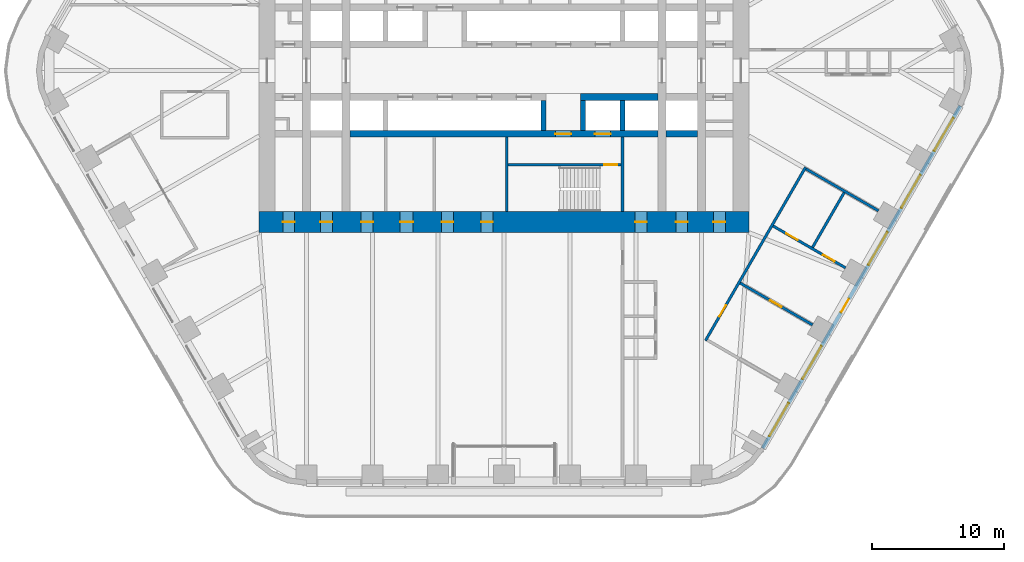
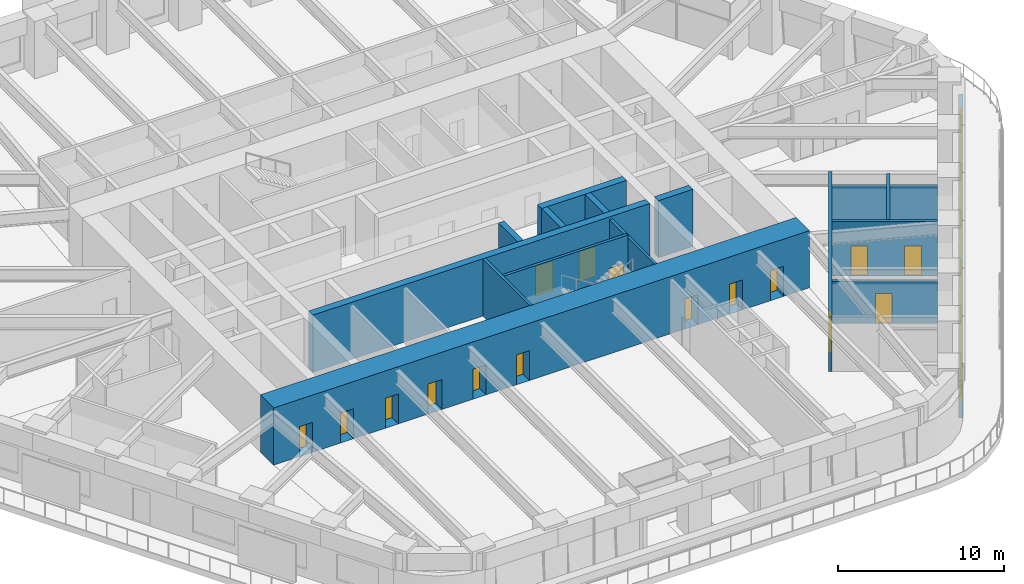
# One storey, part 18 of 24: 17 doors, 16 walls, 5 windows, 22 openings.
"""IFC4 building model written with IfcOpenShell, lengths in metres."""

from ifc_helpers import new_model, si_unit, direction, frame, frame_2d, origin, place, context, subcontext, project, spatial, rectangle, extrude, material, layer, layer_set, type_object, element, fill, save


model = new_model("IFC4")

# Units and contexts
model_context = context("Model", 3, precision=1e-05, world=origin(), true_north=direction((0.0, 1.0)))
body_context = subcontext(model_context, "Body", "Model", "MODEL_VIEW")
ifc_project = project(units=[si_unit("LENGTHUNIT", "METRE"), si_unit("AREAUNIT", "SQUARE_METRE"), si_unit("VOLUMEUNIT", "CUBIC_METRE"), si_unit("PLANEANGLEUNIT", "RADIAN"), si_unit("MASSUNIT", "GRAM", prefix="KILO")], contexts=[model_context])

# Site, building, storey
site_placement = place(None, origin())
site = spatial("IfcSite", under=ifc_project, at=site_placement, CompositionType="ELEMENT")
building_placement = place(site_placement, origin())
building = spatial("IfcBuilding", under=site, at=building_placement, Name="Tarfa Lantern Tower", CompositionType="ELEMENT")
storey_placement = place(building_placement, frame((0.0, 0.0, 161.5)))
storey = spatial("IfcBuildingStorey", under=building, at=storey_placement, Name="L36", CompositionType="ELEMENT", Elevation=161.5)

# Wall, openings, door, windows
ifc_material_1 = material(Name="Limestone cladding on blockwork", Category="masonry")
ifc_layer_1 = layer(ifc_material_1, 0.300048828125)
ifc_layer_set_1 = layer_set([ifc_layer_1], Name="EW1 STONE-CLAD WALL 300")
wall_type_1 = type_object("IfcWallType", Name="EW1 STONE-CLAD WALL 300", PredefinedType="SOLIDWALL", material=ifc_layer_set_1)
wall_1_placement = place(storey_placement, frame((19.644287109375, -28.675048828125, 0.0), z_axis=(0.0, 0.0, 1.0), x_axis=(0.500003084452, 0.866023622968, 0.0)))
wall_1 = element("IfcWall", 1, at=wall_1_placement, inside=storey, type_object=wall_type_1, Name="Stone wall SE", PredefinedType="SOLIDWALL", context=body_context, shape_type="SweptSolid", body=[
    extrude(rectangle(XDim=30.022216796875, YDim=0.300048828125, at=frame_2d((15.01123046875, 0.0))), origin(), (0.0, 0.0, 1.0), 2.75),
])
opening_1_placement = place(wall_1_placement, frame((1.0517578125, 0.0, 0.60009765625)))
opening_1 = element("IfcOpeningElement", 2, at=opening_1_placement, cuts=wall_1, Name="Opening W9", PredefinedType="OPENING", context=body_context, shape_type="SweptSolid", body=[
    extrude(rectangle(XDim=2.89990234375, YDim=1.89990234375, at=frame_2d((1.449951171875, 0.949951171875))), frame((0.0, 0.159912109375, 0.0), z_axis=(0.0, -1.0, 0.0), x_axis=(1.0, 0.0, 0.0)), (0.0, 0.0, 1.0), 0.320068359375),
])
opening_2_placement = place(wall_1_placement, frame((6.0556640625, 0.0, 0.60009765625)))
opening_2 = element("IfcOpeningElement", 3, at=opening_2_placement, cuts=wall_1, Name="Opening W9", PredefinedType="OPENING", context=body_context, shape_type="SweptSolid", body=[
    extrude(rectangle(XDim=2.89990234375, YDim=1.89990234375, at=frame_2d((1.449951171875, 0.949951171875))), frame((0.0, 0.159912109375, 0.0), z_axis=(0.0, -1.0, 0.0), x_axis=(1.0, 0.0, 0.0)), (0.0, 0.0, 1.0), 0.320068359375),
])
opening_3_placement = place(wall_1_placement, frame((11.9091796875, 0.0, 0.0)))
opening_3 = element("IfcOpeningElement", 4, at=opening_3_placement, cuts=wall_1, Name="Opening D51", PredefinedType="OPENING", context=body_context, shape_type="SweptSolid", body=[
    extrude(rectangle(XDim=1.199951171875, YDim=2.39990234375, at=frame_2d((0.60009765625, 1.199951171875))), frame((0.0, 0.159912109375, 0.0), z_axis=(0.0, -1.0, 0.0), x_axis=(1.0, 0.0, 0.0)), (0.0, 0.0, 1.0), 0.320068359375),
])
opening_4_placement = place(wall_1_placement, frame((16.06298828125, 0.0, 0.60009765625)))
opening_4 = element("IfcOpeningElement", 5, at=opening_4_placement, cuts=wall_1, Name="Opening W9", PredefinedType="OPENING", context=body_context, shape_type="SweptSolid", body=[
    extrude(rectangle(XDim=2.89990234375, YDim=1.89990234375, at=frame_2d((1.449951171875, 0.949951171875))), frame((0.0, 0.159912109375, 0.0), z_axis=(0.0, -1.0, 0.0), x_axis=(1.0, 0.0, 0.0)), (0.0, 0.0, 1.0), 0.320068359375),
])
opening_5_placement = place(wall_1_placement, frame((21.066650390625, 0.0, 0.60009765625)))
opening_5 = element("IfcOpeningElement", 6, at=opening_5_placement, cuts=wall_1, Name="Opening W9", PredefinedType="OPENING", context=body_context, shape_type="SweptSolid", body=[
    extrude(rectangle(XDim=2.89990234375, YDim=1.89990234375, at=frame_2d((1.449951171875, 0.949951171875))), frame((0.0, 0.159912109375, 0.0), z_axis=(0.0, -1.0, 0.0), x_axis=(1.0, 0.0, 0.0)), (0.0, 0.0, 1.0), 0.320068359375),
])
opening_6_placement = place(wall_1_placement, frame((26.0703125, 0.0, 0.60009765625)))
opening_6 = element("IfcOpeningElement", 7, at=opening_6_placement, cuts=wall_1, Name="Opening W9", PredefinedType="OPENING", context=body_context, shape_type="SweptSolid", body=[
    extrude(rectangle(XDim=2.89990234375, YDim=1.89990234375, at=frame_2d((1.449951171875, 0.949951171875))), frame((0.0, 0.159912109375, 0.0), z_axis=(0.0, -1.0, 0.0), x_axis=(1.0, 0.0, 0.0)), (0.0, 0.0, 1.0), 0.320068359375),
])
ifc_material_2 = material(Name="Aluminium framed glazed door", Category="aluminium")
door_type_1 = type_object("IfcDoorType", Name="BE3 BALCONY DOOR 1200x2400", OperationType="SINGLE_SWING_RIGHT", PredefinedType="DOOR", material=ifc_material_2)
door_1_placement = place(opening_3_placement, origin())
door_1 = element("IfcDoor", 8, at=door_1_placement, inside=storey, type_object=door_type_1, Name="Balcony door SE", OperationType="SINGLE_SWING_RIGHT", OverallHeight=2.39990234375, OverallWidth=1.199951171875, PredefinedType="DOOR", context=body_context, shape_type="SweptSolid", body=[
    extrude(rectangle(XDim=1.199951171875, YDim=2.39990234375, at=frame_2d((0.60009765625, 1.199951171875))), frame((0.0, 0.02490234375, 0.0), z_axis=(0.0, -1.0, 0.0), x_axis=(1.0, 0.0, 0.0)), (0.0, 0.0, 1.0), 0.050048828125),
])
fill(opening_3, door_1)
ifc_material_3 = material(Name="Aluminium frame, double glazed", Category="aluminium")
window_type = type_object("IfcWindowType", Name="W9 FULL-HEIGHT GLAZING 2900x1900", PartitioningType="SINGLE_PANEL", PredefinedType="WINDOW", material=ifc_material_3)
window_1_placement = place(opening_1_placement, origin())
window_1 = element("IfcWindow", 9, at=window_1_placement, inside=storey, type_object=window_type, Name="Window SE 1", OverallHeight=1.89990234375, OverallWidth=2.89990234375, PartitioningType="SINGLE_PANEL", PredefinedType="WINDOW", context=body_context, shape_type="SweptSolid", body=[
    extrude(rectangle(XDim=2.89990234375, YDim=1.89990234375, at=frame_2d((1.449951171875, 0.949951171875))), frame((0.0, 0.030029296875, 0.0), z_axis=(0.0, -1.0, 0.0), x_axis=(1.0, 0.0, 0.0)), (0.0, 0.0, 1.0), 0.06005859375),
])
fill(opening_1, window_1)
window_2_placement = place(opening_2_placement, origin())
window_2 = element("IfcWindow", 10, at=window_2_placement, inside=storey, type_object=window_type, Name="Window SE 2", OverallHeight=1.89990234375, OverallWidth=2.89990234375, PartitioningType="SINGLE_PANEL", PredefinedType="WINDOW", context=body_context, shape_type="SweptSolid", body=[
    extrude(rectangle(XDim=2.89990234375, YDim=1.89990234375, at=frame_2d((1.449951171875, 0.949951171875))), frame((0.0, 0.030029296875, 0.0), z_axis=(0.0, -1.0, 0.0), x_axis=(1.0, 0.0, 0.0)), (0.0, 0.0, 1.0), 0.06005859375),
])
fill(opening_2, window_2)
window_3_placement = place(opening_4_placement, origin())
window_3 = element("IfcWindow", 11, at=window_3_placement, inside=storey, type_object=window_type, Name="Window SE 4", OverallHeight=1.89990234375, OverallWidth=2.89990234375, PartitioningType="SINGLE_PANEL", PredefinedType="WINDOW", context=body_context, shape_type="SweptSolid", body=[
    extrude(rectangle(XDim=2.89990234375, YDim=1.89990234375, at=frame_2d((1.449951171875, 0.949951171875))), frame((0.0, 0.030029296875, 0.0), z_axis=(0.0, -1.0, 0.0), x_axis=(1.0, 0.0, 0.0)), (0.0, 0.0, 1.0), 0.06005859375),
])
fill(opening_4, window_3)
window_4_placement = place(opening_5_placement, origin())
window_4 = element("IfcWindow", 12, at=window_4_placement, inside=storey, type_object=window_type, Name="Window SE 5", OverallHeight=1.89990234375, OverallWidth=2.89990234375, PartitioningType="SINGLE_PANEL", PredefinedType="WINDOW", context=body_context, shape_type="SweptSolid", body=[
    extrude(rectangle(XDim=2.89990234375, YDim=1.89990234375, at=frame_2d((1.449951171875, 0.949951171875))), frame((0.0, 0.030029296875, 0.0), z_axis=(0.0, -1.0, 0.0), x_axis=(1.0, 0.0, 0.0)), (0.0, 0.0, 1.0), 0.06005859375),
])
fill(opening_5, window_4)
window_5_placement = place(opening_6_placement, origin())
window_5 = element("IfcWindow", 13, at=window_5_placement, inside=storey, type_object=window_type, Name="Window SE 6", OverallHeight=1.89990234375, OverallWidth=2.89990234375, PartitioningType="SINGLE_PANEL", PredefinedType="WINDOW", context=body_context, shape_type="SweptSolid", body=[
    extrude(rectangle(XDim=2.89990234375, YDim=1.89990234375, at=frame_2d((1.449951171875, 0.949951171875))), frame((0.0, 0.030029296875, 0.0), z_axis=(0.0, -1.0, 0.0), x_axis=(1.0, 0.0, 0.0)), (0.0, 0.0, 1.0), 0.06005859375),
])
fill(opening_6, window_5)

# Wall
ifc_material_4 = material(Name="Concrete blockwork", Category="masonry")
ifc_layer_2 = layer(ifc_material_4, 0.199951171875)
ifc_layer_set_2 = layer_set([ifc_layer_2], Name="IW1 BLOCKWORK PARTITION 200 EI 120")
wall_type_2 = type_object("IfcWallType", Name="IW1 BLOCKWORK PARTITION 200 EI 120", PredefinedType="PARTITIONING", material=ifc_layer_set_2)
wall_2_placement = place(storey_placement, frame((9.0, -5.050048828125, 0.0), z_axis=(0.0, 0.0, 1.0), x_axis=(0.0, -1.0, 0.0)))
element("IfcWall", 14, at=wall_2_placement, inside=storey, type_object=wall_type_2, Name="Core partition", PredefinedType="PARTITIONING", context=body_context, shape_type="SweptSolid", body=[
    extrude(rectangle(XDim=5.64990234375, YDim=0.199951171875, at=frame_2d((2.824951171875, 0.0))), origin(), (0.0, 0.0, 1.0), 4.0),
])

# Wall, opening, door
ifc_material_5 = material(Name="Gypsum board on steel studs", Category="steel")
ifc_layer_3 = layer(ifc_material_5, 0.2099609375)
ifc_layer_set_3 = layer_set([ifc_layer_3], Name="IW2 ACOUSTIC PARTITION 200")
wall_type_3 = type_object("IfcWallType", Name="IW2 ACOUSTIC PARTITION 200", PredefinedType="PARTITIONING", material=ifc_layer_set_3)
wall_3_placement = place(storey_placement, frame((15.2978515625, -20.503173828125, 0.0), z_axis=(0.0, 0.0, 1.0), x_axis=(0.500010972563, 0.86601906868, 0.0)))
wall_3 = element("IfcWall", 15, at=wall_3_placement, inside=storey, type_object=wall_type_3, Name="Partition", PredefinedType="PARTITIONING", context=body_context, shape_type="SweptSolid", body=[
    extrude(rectangle(XDim=15.211181640625, YDim=0.199951171875, at=frame_2d((7.60546875, 0.0))), origin(), (0.0, 0.0, 1.0), 4.0),
])
opening_7_placement = place(wall_3_placement, frame((2.101806640625, 0.0, 0.0)))
opening_7 = element("IfcOpeningElement", 16, at=opening_7_placement, cuts=wall_3, Name="Opening D33", PredefinedType="OPENING", context=body_context, shape_type="SweptSolid", body=[
    extrude(rectangle(XDim=1.0, YDim=2.199951171875, at=frame_2d((0.5, 1.10009765625))), frame((0.0, 0.10986328125, 0.0), z_axis=(0.0, -1.0, 0.0), x_axis=(1.0, 0.0, 0.0)), (0.0, 0.0, 1.0), 0.219970703125),
])
ifc_material_6 = material(Name="Timber door", Category="wood")
door_type_2 = type_object("IfcDoorType", Name="DR1 ROOM DOOR 1000x2200", OperationType="SINGLE_SWING_LEFT", PredefinedType="DOOR", material=ifc_material_6)
door_2_placement = place(opening_7_placement, frame((1.0, 0.0, 0.0), z_axis=(0.0, 0.0, 1.0), x_axis=(-1.0, 0.0, 0.0)))
door_2 = element("IfcDoor", 17, at=door_2_placement, inside=storey, type_object=door_type_2, Name="Audit reception door", OperationType="SINGLE_SWING_LEFT", OverallHeight=2.199951171875, OverallWidth=1.0, PredefinedType="DOOR", context=body_context, shape_type="SweptSolid", body=[
    extrude(rectangle(XDim=1.0, YDim=2.199951171875, at=frame_2d((0.5, 1.10009765625))), frame((0.0, 0.02490234375, 0.0), z_axis=(0.0, -1.0, 0.0), x_axis=(1.0, 0.0, 0.0)), (0.0, 0.0, 1.0), 0.050048828125),
])
fill(opening_7, door_2)

wall_4_placement = place(storey_placement, frame((17.936279296875, -16.13330078125, 0.0), z_axis=(0.0, 0.0, 1.0), x_axis=(0.866022320763, -0.500005339912, 0.0)))
wall_4 = element("IfcWall", 18, at=wall_4_placement, inside=storey, type_object=wall_type_3, Name="Partition", PredefinedType="PARTITIONING", context=body_context, shape_type="SweptSolid", body=[
    extrude(rectangle(XDim=6.35009765625, YDim=0.199951171875, at=frame_2d((3.175048828125, 0.0))), origin(), (0.0, 0.0, 1.0), 3.08154296875),
])
opening_8_placement = place(wall_4_placement, frame((2.625, 0.0, 0.0)))
opening_8 = element("IfcOpeningElement", 19, at=opening_8_placement, cuts=wall_4, Name="Opening D34", PredefinedType="OPENING", context=body_context, shape_type="SweptSolid", body=[
    extrude(rectangle(XDim=1.0, YDim=2.199951171875, at=frame_2d((0.5, 1.10009765625))), frame((0.0, 0.10986328125, 0.0), z_axis=(0.0, -1.0, 0.0), x_axis=(1.0, 0.0, 0.0)), (0.0, 0.0, 1.0), 0.219970703125),
])
door_3_placement = place(opening_8_placement, origin())
door_3 = element("IfcDoor", 20, at=door_3_placement, inside=storey, type_object=door_type_2, Name="Audit team room door", OperationType="SINGLE_SWING_RIGHT", OverallHeight=2.199951171875, OverallWidth=1.0, PredefinedType="DOOR", context=body_context, shape_type="SweptSolid", body=[
    extrude(rectangle(XDim=1.0, YDim=2.199951171875, at=frame_2d((0.5, 1.10009765625))), frame((0.0, 0.02490234375, 0.0), z_axis=(0.0, -1.0, 0.0), x_axis=(1.0, 0.0, 0.0)), (0.0, 0.0, 1.0), 0.050048828125),
])
fill(opening_8, door_3)

# Wall, openings, doors
wall_5_placement = place(storey_placement, frame((20.438232421875, -11.800048828125, 0.0), z_axis=(0.0, 0.0, 1.0), x_axis=(0.866022320763, -0.500005339912, 0.0)))
wall_5 = element("IfcWall", 21, at=wall_5_placement, inside=storey, type_object=wall_type_3, Name="Partition", PredefinedType="PARTITIONING", context=body_context, shape_type="SweptSolid", body=[
    extrude(rectangle(XDim=6.35009765625, YDim=0.199951171875, at=frame_2d((3.175048828125, 0.0))), origin(), (0.0, 0.0, 1.0), 4.0),
])
opening_9_placement = place(wall_5_placement, frame((1.14990234375, 0.0, 0.0)))
opening_9 = element("IfcOpeningElement", 22, at=opening_9_placement, cuts=wall_5, Name="Opening D35", PredefinedType="OPENING", context=body_context, shape_type="SweptSolid", body=[
    extrude(rectangle(XDim=1.0, YDim=2.199951171875, at=frame_2d((0.5, 1.10009765625))), frame((0.0, 0.10986328125, 0.0), z_axis=(0.0, -1.0, 0.0), x_axis=(1.0, 0.0, 0.0)), (0.0, 0.0, 1.0), 0.219970703125),
])
opening_10_placement = place(wall_5_placement, frame((4.375, 0.0, 0.0)))
opening_10 = element("IfcOpeningElement", 23, at=opening_10_placement, cuts=wall_5, Name="Opening D36", PredefinedType="OPENING", context=body_context, shape_type="SweptSolid", body=[
    extrude(rectangle(XDim=1.0, YDim=2.199951171875, at=frame_2d((0.5, 1.10009765625))), frame((0.0, 0.10986328125, 0.0), z_axis=(0.0, -1.0, 0.0), x_axis=(1.0, 0.0, 0.0)), (0.0, 0.0, 1.0), 0.219970703125),
])
door_4_placement = place(opening_9_placement, origin())
door_4 = element("IfcDoor", 24, at=door_4_placement, inside=storey, type_object=door_type_2, Name="Audit meeting room door", OperationType="SINGLE_SWING_RIGHT", OverallHeight=2.199951171875, OverallWidth=1.0, PredefinedType="DOOR", context=body_context, shape_type="SweptSolid", body=[
    extrude(rectangle(XDim=1.0, YDim=2.199951171875, at=frame_2d((0.5, 1.10009765625))), frame((0.0, 0.02490234375, 0.0), z_axis=(0.0, -1.0, 0.0), x_axis=(1.0, 0.0, 0.0)), (0.0, 0.0, 1.0), 0.050048828125),
])
fill(opening_9, door_4)
door_5_placement = place(opening_10_placement, origin())
door_5 = element("IfcDoor", 25, at=door_5_placement, inside=storey, type_object=door_type_2, Name="Audit office door", OperationType="SINGLE_SWING_RIGHT", OverallHeight=2.199951171875, OverallWidth=1.0, PredefinedType="DOOR", context=body_context, shape_type="SweptSolid", body=[
    extrude(rectangle(XDim=1.0, YDim=2.199951171875, at=frame_2d((0.5, 1.10009765625))), frame((0.0, 0.02490234375, 0.0), z_axis=(0.0, -1.0, 0.0), x_axis=(1.0, 0.0, 0.0)), (0.0, 0.0, 1.0), 0.050048828125),
])
fill(opening_10, door_5)

# Walls
wall_6_placement = place(storey_placement, frame((22.93994140625, -7.466552734375, 0.0), z_axis=(0.0, 0.0, 1.0), x_axis=(0.866022320763, -0.500005339912, 0.0)))
element("IfcWall", 26, at=wall_6_placement, inside=storey, type_object=wall_type_3, Name="Partition", PredefinedType="PARTITIONING", context=body_context, shape_type="SweptSolid", body=[
    extrude(rectangle(XDim=6.35009765625, YDim=0.199951171875, at=frame_2d((3.175048828125, 0.0))), origin(), (0.0, 0.0, 1.0), 3.08154296875),
])
wall_7_placement = place(storey_placement, frame((23.4326171875, -13.413330078125, 0.0), z_axis=(0.0, 0.0, 1.0), x_axis=(0.499998147991, 0.86602647304, 0.0)))
element("IfcWall", 27, at=wall_7_placement, inside=storey, type_object=wall_type_3, Name="Partition", PredefinedType="PARTITIONING", context=body_context, shape_type="SweptSolid", body=[
    extrude(rectangle(XDim=4.8037109375, YDim=0.199951171875, at=frame_2d((2.40185546875, 0.0))), origin(), (0.0, 0.0, 1.0), 4.0),
])
ifc_material_7 = material(Name="Concrete C80/95", Category="concrete")
ifc_layer_4 = layer(ifc_material_7, 0.199951171875)
ifc_layer_set_4 = layer_set([ifc_layer_4], Name="SW12 CORE WALL 200")
wall_type_4 = type_object("IfcWallType", Name="SW12 CORE WALL 200", PredefinedType="SHEAR", material=ifc_layer_set_4)
wall_8_placement = place(storey_placement, frame((0.199951171875, -5.050048828125, 0.0), z_axis=(0.0, 0.0, 1.0), x_axis=(0.0, -1.0, 0.0)))
element("IfcWall", 28, at=wall_8_placement, inside=storey, type_object=wall_type_4, Name="Core wall stair shaft S", PredefinedType="SHEAR", context=body_context, shape_type="SweptSolid", body=[
    extrude(rectangle(XDim=5.64990234375, YDim=0.199951171875, at=frame_2d((2.824951171875, 0.0))), origin(), (0.0, 0.0, 1.0), 4.199951171875),
])

# Wall, opening, door
wall_9_placement = place(storey_placement, frame((8.89990234375, -7.14990234375, 0.0), z_axis=(0.0, 0.0, 1.0), x_axis=(-1.0, 0.0, 0.0)))
wall_9 = element("IfcWall", 29, at=wall_9_placement, inside=storey, type_object=wall_type_4, Name="Core wall stair partition S", PredefinedType="SHEAR", context=body_context, shape_type="SweptSolid", body=[
    extrude(rectangle(XDim=8.599853515625, YDim=0.199951171875, at=frame_2d((4.2998046875, 0.0))), origin(), (0.0, 0.0, 1.0), 4.199951171875),
])
opening_11_placement = place(wall_9_placement, frame((0.300048828125, 0.0, 0.0)))
opening_11 = element("IfcOpeningElement", 30, at=opening_11_placement, cuts=wall_9, Name="Opening D28", PredefinedType="OPENING", context=body_context, shape_type="SweptSolid", body=[
    extrude(rectangle(XDim=1.0, YDim=2.199951171875, at=frame_2d((0.5, 1.10009765625))), frame((0.0, 0.10986328125, 0.0), z_axis=(0.0, -1.0, 0.0), x_axis=(1.0, 0.0, 0.0)), (0.0, 0.0, 1.0), 0.219970703125),
])
ifc_material_8 = material(Name="Steel fire door", Category="steel")
door_type_3 = type_object("IfcDoorType", Name="DF2 STAIR DOOR 1000x2200", OperationType="SINGLE_SWING_LEFT", PredefinedType="DOOR", material=ifc_material_8)
door_6_placement = place(opening_11_placement, origin())
door_6 = element("IfcDoor", 31, at=door_6_placement, inside=storey, type_object=door_type_3, Name="Stair door", OperationType="SINGLE_SWING_RIGHT", OverallHeight=2.199951171875, OverallWidth=1.0, PredefinedType="DOOR", context=body_context, shape_type="SweptSolid", body=[
    extrude(rectangle(XDim=1.0, YDim=2.199951171875, at=frame_2d((0.5, 1.10009765625))), frame((0.0, 0.02490234375, 0.0), z_axis=(0.0, -1.0, 0.0), x_axis=(1.0, 0.0, 0.0)), (0.0, 0.0, 1.0), 0.050048828125),
])
fill(opening_11, door_6)

# Walls
ifc_layer_5 = layer(ifc_material_7, 0.5)
ifc_layer_set_5 = layer_set([ifc_layer_5], Name="SW5 CORE WALL 500")
wall_type_5 = type_object("IfcWallType", Name="SW5 CORE WALL 500", PredefinedType="SHEAR", material=ifc_layer_set_5)
wall_10_placement = place(storey_placement, frame((11.699951171875, -2.0, 0.0), z_axis=(0.0, 0.0, 1.0), x_axis=(-1.0, 0.0, 0.0)))
element("IfcWall", 32, at=wall_10_placement, inside=storey, type_object=wall_type_5, Name="Core wall lobby west S", PredefinedType="SHEAR", context=body_context, shape_type="SweptSolid", body=[
    extrude(rectangle(XDim=5.89990234375, YDim=0.5, at=frame_2d((2.949951171875, 0.0))), origin(), (0.0, 0.0, 1.0), 4.199951171875),
])
wall_11_placement = place(storey_placement, frame((14.699951171875, -4.800048828125, 0.0), z_axis=(0.0, 0.0, 1.0), x_axis=(-1.0, 0.0, 0.0)))
element("IfcWall", 33, at=wall_11_placement, inside=storey, type_object=wall_type_5, Name="Core wall rear S", PredefinedType="SHEAR", context=body_context, shape_type="SweptSolid", body=[
    extrude(rectangle(XDim=2.39990234375, YDim=0.5, at=frame_2d((1.199951171875, 0.0))), origin(), (0.0, 0.0, 1.0), 4.199951171875),
])

# Wall, openings, doors
wall_12_placement = place(storey_placement, frame((11.699951171875, -4.800048828125, 0.0), z_axis=(0.0, 0.0, 1.0), x_axis=(-1.0, 0.0, 0.0)))
wall_12 = element("IfcWall", 34, at=wall_12_placement, inside=storey, type_object=wall_type_5, Name="Core wall rear S", PredefinedType="SHEAR", context=body_context, shape_type="SweptSolid", body=[
    extrude(rectangle(XDim=23.39990234375, YDim=0.5, at=frame_2d((11.699951171875, 0.0))), origin(), (0.0, 0.0, 1.0), 4.199951171875),
])
opening_12_placement = place(wall_12_placement, frame((6.60009765625, 0.0, 0.0)))
opening_12 = element("IfcOpeningElement", 35, at=opening_12_placement, cuts=wall_12, Name="Opening D14", PredefinedType="OPENING", context=body_context, shape_type="SweptSolid", body=[
    extrude(rectangle(XDim=1.199951171875, YDim=2.199951171875, at=frame_2d((0.60009765625, 1.10009765625))), frame((0.0, 0.260009765625, 0.0), z_axis=(0.0, -1.0, 0.0), x_axis=(1.0, 0.0, 0.0)), (0.0, 0.0, 1.0), 0.52001953125),
])
opening_13_placement = place(wall_12_placement, frame((3.60009765625, 0.0, 0.0)))
opening_13 = element("IfcOpeningElement", 36, at=opening_13_placement, cuts=wall_12, Name="Opening LD02", PredefinedType="OPENING", context=body_context, shape_type="SweptSolid", body=[
    extrude(rectangle(XDim=1.199951171875, YDim=2.199951171875, at=frame_2d((0.60009765625, 1.10009765625))), frame((0.0, 0.260009765625, 0.0), z_axis=(0.0, -1.0, 0.0), x_axis=(1.0, 0.0, 0.0)), (0.0, 0.0, 1.0), 0.52001953125),
])
door_type_4 = type_object("IfcDoorType", Name="DF1 FIREFIGHTING LOBBY DOOR 1200x2200", OperationType="SINGLE_SWING_LEFT", PredefinedType="DOOR", material=ifc_material_8)
door_7_placement = place(opening_12_placement, origin())
door_7 = element("IfcDoor", 37, at=door_7_placement, inside=storey, type_object=door_type_4, Name="Firefighting lobby door", OperationType="SINGLE_SWING_LEFT", OverallHeight=2.199951171875, OverallWidth=1.199951171875, PredefinedType="DOOR", context=body_context, shape_type="SweptSolid", body=[
    extrude(rectangle(XDim=1.199951171875, YDim=2.199951171875, at=frame_2d((0.60009765625, 1.10009765625))), frame((0.0, 0.02490234375, 0.0), z_axis=(0.0, -1.0, 0.0), x_axis=(1.0, 0.0, 0.0)), (0.0, 0.0, 1.0), 0.050048828125),
])
fill(opening_12, door_7)
ifc_material_9 = material(Name="Stainless steel lift door", Category="steel")
door_type_5 = type_object("IfcDoorType", Name="LD1 LIFT LANDING DOOR 1200x2200", OperationType="SLIDING_TO_LEFT", PredefinedType="DOOR", material=ifc_material_9)
door_8_placement = place(opening_13_placement, origin())
door_8 = element("IfcDoor", 38, at=door_8_placement, inside=storey, type_object=door_type_5, Name="Landing door FL2", OperationType="SLIDING_TO_LEFT", OverallHeight=2.199951171875, OverallWidth=1.199951171875, PredefinedType="DOOR", context=body_context, shape_type="SweptSolid", body=[
    extrude(rectangle(XDim=1.199951171875, YDim=2.199951171875, at=frame_2d((0.60009765625, 1.10009765625))), frame((0.0, 0.02490234375, 0.0), z_axis=(0.0, -1.0, 0.0), x_axis=(1.0, 0.0, 0.0)), (0.0, 0.0, 1.0), 0.050048828125),
])
fill(opening_13, door_8)

# Walls
ifc_layer_6 = layer(ifc_material_7, 0.39990234375)
ifc_layer_set_6 = layer_set([ifc_layer_6], Name="SW6 CORE WALL 400")
wall_type_6 = type_object("IfcWallType", Name="SW6 CORE WALL 400", PredefinedType="SHEAR", material=ifc_layer_set_6)
for number, where, z_axis, x_axis, name in (
    (39, (9.0, -2.25, 0.0), (0.0, 0.0, 1.0), (0.0, -1.0, 0.0), "Core wall divider S"),
    (40, (6.0, -2.25, 0.0), (0.0, 0.0, 1.0), (0.0, -1.0, 0.0), "Core wall divider S"),
    (41, (3.0, -2.25, 0.0), (0.0, 0.0, 1.0), (0.0, -1.0, 0.0), "Core wall divider S"),
):
    element("IfcWall", number, at=place(storey_placement, frame(where, z_axis=z_axis, x_axis=x_axis)), inside=storey, type_object=wall_type_6, Name=name, PredefinedType="SHEAR", context=body_context, shape_type="SweptSolid", body=[
        extrude(rectangle(XDim=2.300048828125, YDim=0.39990234375, at=frame_2d((1.14990234375, 0.0))), origin(), (0.0, 0.0, 1.0), 4.199951171875),
    ])

# Wall, openings, doors
ifc_layer_7 = layer(ifc_material_7, 1.60009765625)
ifc_layer_set_7 = layer_set([ifc_layer_7], Name="SW7 CORE WALL 1600")
wall_type_7 = type_object("IfcWallType", Name="SW7 CORE WALL 1600", PredefinedType="SHEAR", material=ifc_layer_set_7)
wall_13_placement = place(storey_placement, frame((18.60009765625, -11.5, 0.0), z_axis=(0.0, 0.0, 1.0), x_axis=(-1.0, 0.0, 0.0)))
wall_13 = element("IfcWall", 42, at=wall_13_placement, inside=storey, type_object=wall_type_7, Name="Core wall S", PredefinedType="SHEAR", context=body_context, shape_type="SweptSolid", body=[
    extrude(rectangle(XDim=37.2001953125, YDim=1.60009765625, at=frame_2d((18.60009765625, 0.0))), origin(), (0.0, 0.0, 1.0), 4.199951171875),
])
opening_14_placement = place(wall_13_placement, frame((19.449951171875, 0.0, 0.0)))
opening_14 = element("IfcOpeningElement", 43, at=opening_14_placement, cuts=wall_13, Name="Opening D22", PredefinedType="OPENING", context=body_context, shape_type="SweptSolid", body=[
    extrude(rectangle(XDim=0.89990234375, YDim=2.199951171875, at=frame_2d((0.449951171875, 1.10009765625))), frame((0.0, 0.81005859375, 0.0), z_axis=(0.0, -1.0, 0.0), x_axis=(1.0, 0.0, 0.0)), (0.0, 0.0, 1.0), 1.6201171875),
])
opening_15_placement = place(wall_13_placement, frame((22.449951171875, 0.0, 0.0)))
opening_15 = element("IfcOpeningElement", 44, at=opening_15_placement, cuts=wall_13, Name="Opening D24", PredefinedType="OPENING", context=body_context, shape_type="SweptSolid", body=[
    extrude(rectangle(XDim=0.89990234375, YDim=2.199951171875, at=frame_2d((0.449951171875, 1.10009765625))), frame((0.0, 0.81005859375, 0.0), z_axis=(0.0, -1.0, 0.0), x_axis=(1.0, 0.0, 0.0)), (0.0, 0.0, 1.0), 1.6201171875),
])
opening_16_placement = place(wall_13_placement, frame((25.5, 0.0, 0.0)))
opening_16 = element("IfcOpeningElement", 45, at=opening_16_placement, cuts=wall_13, Name="Opening D26", PredefinedType="OPENING", context=body_context, shape_type="SweptSolid", body=[
    extrude(rectangle(XDim=1.0, YDim=2.199951171875, at=frame_2d((0.5, 1.10009765625))), frame((0.0, 0.81005859375, 0.0), z_axis=(0.0, -1.0, 0.0), x_axis=(1.0, 0.0, 0.0)), (0.0, 0.0, 1.0), 1.6201171875),
])
opening_17_placement = place(wall_13_placement, frame((1.800048828125, 0.0, 0.0)))
opening_17 = element("IfcOpeningElement", 46, at=opening_17_placement, cuts=wall_13, Name="Opening D12", PredefinedType="OPENING", context=body_context, shape_type="SweptSolid", body=[
    extrude(rectangle(XDim=0.89990234375, YDim=2.199951171875, at=frame_2d((0.449951171875, 1.10009765625))), frame((0.0, 0.81005859375, 0.0), z_axis=(0.0, -1.0, 0.0), x_axis=(1.0, 0.0, 0.0)), (0.0, 0.0, 1.0), 1.6201171875),
])
opening_18_placement = place(wall_13_placement, frame((4.64990234375, 0.0, 0.0)))
opening_18 = element("IfcOpeningElement", 47, at=opening_18_placement, cuts=wall_13, Name="Opening D08", PredefinedType="OPENING", context=body_context, shape_type="SweptSolid", body=[
    extrude(rectangle(XDim=0.89990234375, YDim=2.199951171875, at=frame_2d((0.449951171875, 1.10009765625))), frame((0.0, 0.81005859375, 0.0), z_axis=(0.0, -1.0, 0.0), x_axis=(1.0, 0.0, 0.0)), (0.0, 0.0, 1.0), 1.6201171875),
])
opening_19_placement = place(wall_13_placement, frame((7.75, 0.0, 0.0)))
opening_19 = element("IfcOpeningElement", 48, at=opening_19_placement, cuts=wall_13, Name="Opening D10", PredefinedType="OPENING", context=body_context, shape_type="SweptSolid", body=[
    extrude(rectangle(XDim=0.89990234375, YDim=2.199951171875, at=frame_2d((0.449951171875, 1.10009765625))), frame((0.0, 0.81005859375, 0.0), z_axis=(0.0, -1.0, 0.0), x_axis=(1.0, 0.0, 0.0)), (0.0, 0.0, 1.0), 1.6201171875),
])
opening_20_placement = place(wall_13_placement, frame((28.550048828125, 0.0, 0.0)))
opening_20 = element("IfcOpeningElement", 49, at=opening_20_placement, cuts=wall_13, Name="Opening D06", PredefinedType="OPENING", context=body_context, shape_type="SweptSolid", body=[
    extrude(rectangle(XDim=0.89990234375, YDim=2.199951171875, at=frame_2d((0.449951171875, 1.10009765625))), frame((0.0, 0.81005859375, 0.0), z_axis=(0.0, -1.0, 0.0), x_axis=(1.0, 0.0, 0.0)), (0.0, 0.0, 1.0), 1.6201171875),
])
opening_21_placement = place(wall_13_placement, frame((31.64990234375, 0.0, 0.0)))
opening_21 = element("IfcOpeningElement", 50, at=opening_21_placement, cuts=wall_13, Name="Opening D02", PredefinedType="OPENING", context=body_context, shape_type="SweptSolid", body=[
    extrude(rectangle(XDim=0.89990234375, YDim=2.199951171875, at=frame_2d((0.449951171875, 1.10009765625))), frame((0.0, 0.81005859375, 0.0), z_axis=(0.0, -1.0, 0.0), x_axis=(1.0, 0.0, 0.0)), (0.0, 0.0, 1.0), 1.6201171875),
])
opening_22_placement = place(wall_13_placement, frame((34.5, 0.0, 0.0)))
opening_22 = element("IfcOpeningElement", 51, at=opening_22_placement, cuts=wall_13, Name="Opening D04", PredefinedType="OPENING", context=body_context, shape_type="SweptSolid", body=[
    extrude(rectangle(XDim=0.89990234375, YDim=2.199951171875, at=frame_2d((0.449951171875, 1.10009765625))), frame((0.0, 0.81005859375, 0.0), z_axis=(0.0, -1.0, 0.0), x_axis=(1.0, 0.0, 0.0)), (0.0, 0.0, 1.0), 1.6201171875),
])
door_type_6 = type_object("IfcDoorType", Name="DF3 CORE ROOM DOOR 900x2200", OperationType="SINGLE_SWING_LEFT", PredefinedType="DOOR", material=ifc_material_8)
door_9_placement = place(opening_14_placement, frame((0.89990234375, 0.0, 0.0), z_axis=(0.0, 0.0, 1.0), x_axis=(-1.0, 0.0, 0.0)))
door_9 = element("IfcDoor", 52, at=door_9_placement, inside=storey, type_object=door_type_6, Name="Core door", OperationType="SINGLE_SWING_LEFT", OverallHeight=2.199951171875, OverallWidth=0.89990234375, PredefinedType="DOOR", context=body_context, shape_type="SweptSolid", body=[
    extrude(rectangle(XDim=0.89990234375, YDim=2.199951171875, at=frame_2d((0.449951171875, 1.10009765625))), frame((0.0, 0.02490234375, 0.0), z_axis=(0.0, -1.0, 0.0), x_axis=(1.0, 0.0, 0.0)), (0.0, 0.0, 1.0), 0.050048828125),
])
fill(opening_14, door_9)
door_10_placement = place(opening_15_placement, frame((0.89990234375, 0.0, 0.0), z_axis=(0.0, 0.0, 1.0), x_axis=(-1.0, 0.0, 0.0)))
door_10 = element("IfcDoor", 53, at=door_10_placement, inside=storey, type_object=door_type_6, Name="Core door", OperationType="SINGLE_SWING_RIGHT", OverallHeight=2.199951171875, OverallWidth=0.89990234375, PredefinedType="DOOR", context=body_context, shape_type="SweptSolid", body=[
    extrude(rectangle(XDim=0.89990234375, YDim=2.199951171875, at=frame_2d((0.449951171875, 1.10009765625))), frame((0.0, 0.02490234375, 0.0), z_axis=(0.0, -1.0, 0.0), x_axis=(1.0, 0.0, 0.0)), (0.0, 0.0, 1.0), 0.050048828125),
])
fill(opening_15, door_10)
door_type_7 = type_object("IfcDoorType", Name="DF4 CORE ROOM DOOR 1000x2200", OperationType="SINGLE_SWING_LEFT", PredefinedType="DOOR", material=ifc_material_8)
door_11_placement = place(opening_16_placement, frame((1.0, 0.0, 0.0), z_axis=(0.0, 0.0, 1.0), x_axis=(-1.0, 0.0, 0.0)))
door_11 = element("IfcDoor", 54, at=door_11_placement, inside=storey, type_object=door_type_7, Name="Core door", OperationType="SINGLE_SWING_RIGHT", OverallHeight=2.199951171875, OverallWidth=1.0, PredefinedType="DOOR", context=body_context, shape_type="SweptSolid", body=[
    extrude(rectangle(XDim=1.0, YDim=2.199951171875, at=frame_2d((0.5, 1.10009765625))), frame((0.0, 0.02490234375, 0.0), z_axis=(0.0, -1.0, 0.0), x_axis=(1.0, 0.0, 0.0)), (0.0, 0.0, 1.0), 0.050048828125),
])
fill(opening_16, door_11)
door_type_8 = type_object("IfcDoorType", Name="DF5 RISER DOOR 900x2200", OperationType="SINGLE_SWING_LEFT", PredefinedType="DOOR", material=ifc_material_8)
door_12_placement = place(opening_17_placement, frame((0.89990234375, 0.0, 0.0), z_axis=(0.0, 0.0, 1.0), x_axis=(-1.0, 0.0, 0.0)))
door_12 = element("IfcDoor", 55, at=door_12_placement, inside=storey, type_object=door_type_8, Name="Riser door", OperationType="SINGLE_SWING_LEFT", OverallHeight=2.199951171875, OverallWidth=0.89990234375, PredefinedType="DOOR", context=body_context, shape_type="SweptSolid", body=[
    extrude(rectangle(XDim=0.89990234375, YDim=2.199951171875, at=frame_2d((0.449951171875, 1.10009765625))), frame((0.0, 0.02490234375, 0.0), z_axis=(0.0, -1.0, 0.0), x_axis=(1.0, 0.0, 0.0)), (0.0, 0.0, 1.0), 0.050048828125),
])
fill(opening_17, door_12)
door_13_placement = place(opening_18_placement, frame((0.89990234375, 0.0, 0.0), z_axis=(0.0, 0.0, 1.0), x_axis=(-1.0, 0.0, 0.0)))
door_13 = element("IfcDoor", 56, at=door_13_placement, inside=storey, type_object=door_type_8, Name="Riser door", OperationType="SINGLE_SWING_LEFT", OverallHeight=2.199951171875, OverallWidth=0.89990234375, PredefinedType="DOOR", context=body_context, shape_type="SweptSolid", body=[
    extrude(rectangle(XDim=0.89990234375, YDim=2.199951171875, at=frame_2d((0.449951171875, 1.10009765625))), frame((0.0, 0.02490234375, 0.0), z_axis=(0.0, -1.0, 0.0), x_axis=(1.0, 0.0, 0.0)), (0.0, 0.0, 1.0), 0.050048828125),
])
fill(opening_18, door_13)
door_14_placement = place(opening_19_placement, frame((0.89990234375, 0.0, 0.0), z_axis=(0.0, 0.0, 1.0), x_axis=(-1.0, 0.0, 0.0)))
door_14 = element("IfcDoor", 57, at=door_14_placement, inside=storey, type_object=door_type_8, Name="Riser door", OperationType="SINGLE_SWING_LEFT", OverallHeight=2.199951171875, OverallWidth=0.89990234375, PredefinedType="DOOR", context=body_context, shape_type="SweptSolid", body=[
    extrude(rectangle(XDim=0.89990234375, YDim=2.199951171875, at=frame_2d((0.449951171875, 1.10009765625))), frame((0.0, 0.02490234375, 0.0), z_axis=(0.0, -1.0, 0.0), x_axis=(1.0, 0.0, 0.0)), (0.0, 0.0, 1.0), 0.050048828125),
])
fill(opening_19, door_14)
door_15_placement = place(opening_20_placement, frame((0.89990234375, 0.0, 0.0), z_axis=(0.0, 0.0, 1.0), x_axis=(-1.0, 0.0, 0.0)))
door_15 = element("IfcDoor", 58, at=door_15_placement, inside=storey, type_object=door_type_8, Name="Riser door", OperationType="SINGLE_SWING_RIGHT", OverallHeight=2.199951171875, OverallWidth=0.89990234375, PredefinedType="DOOR", context=body_context, shape_type="SweptSolid", body=[
    extrude(rectangle(XDim=0.89990234375, YDim=2.199951171875, at=frame_2d((0.449951171875, 1.10009765625))), frame((0.0, 0.02490234375, 0.0), z_axis=(0.0, -1.0, 0.0), x_axis=(1.0, 0.0, 0.0)), (0.0, 0.0, 1.0), 0.050048828125),
])
fill(opening_20, door_15)
door_16_placement = place(opening_21_placement, frame((0.89990234375, 0.0, 0.0), z_axis=(0.0, 0.0, 1.0), x_axis=(-1.0, 0.0, 0.0)))
door_16 = element("IfcDoor", 59, at=door_16_placement, inside=storey, type_object=door_type_8, Name="Riser door", OperationType="SINGLE_SWING_RIGHT", OverallHeight=2.199951171875, OverallWidth=0.89990234375, PredefinedType="DOOR", context=body_context, shape_type="SweptSolid", body=[
    extrude(rectangle(XDim=0.89990234375, YDim=2.199951171875, at=frame_2d((0.449951171875, 1.10009765625))), frame((0.0, 0.02490234375, 0.0), z_axis=(0.0, -1.0, 0.0), x_axis=(1.0, 0.0, 0.0)), (0.0, 0.0, 1.0), 0.050048828125),
])
fill(opening_21, door_16)
door_17_placement = place(opening_22_placement, frame((0.89990234375, 0.0, 0.0), z_axis=(0.0, 0.0, 1.0), x_axis=(-1.0, 0.0, 0.0)))
door_17 = element("IfcDoor", 60, at=door_17_placement, inside=storey, type_object=door_type_8, Name="Riser door", OperationType="SINGLE_SWING_RIGHT", OverallHeight=2.199951171875, OverallWidth=0.89990234375, PredefinedType="DOOR", context=body_context, shape_type="SweptSolid", body=[
    extrude(rectangle(XDim=0.89990234375, YDim=2.199951171875, at=frame_2d((0.449951171875, 1.10009765625))), frame((0.0, 0.02490234375, 0.0), z_axis=(0.0, -1.0, 0.0), x_axis=(1.0, 0.0, 0.0)), (0.0, 0.0, 1.0), 0.050048828125),
])
fill(opening_22, door_17)

save(model, "model.ifc")
